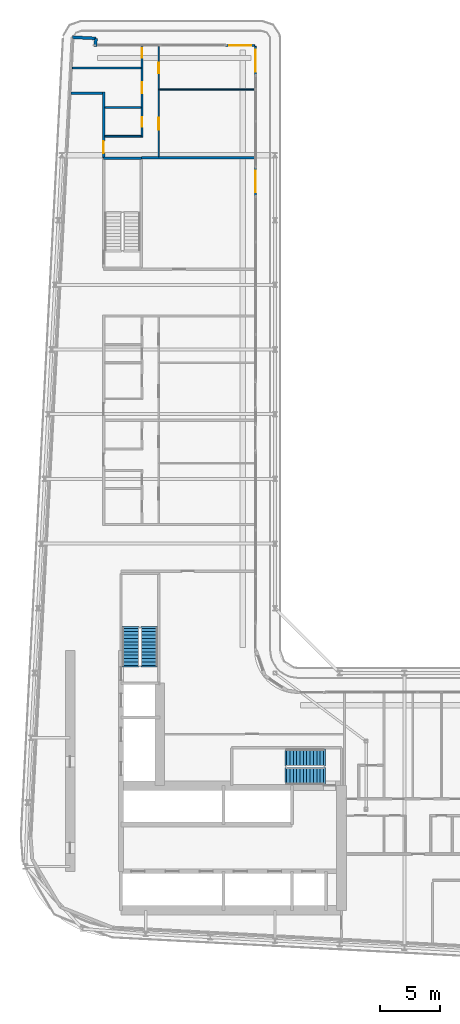
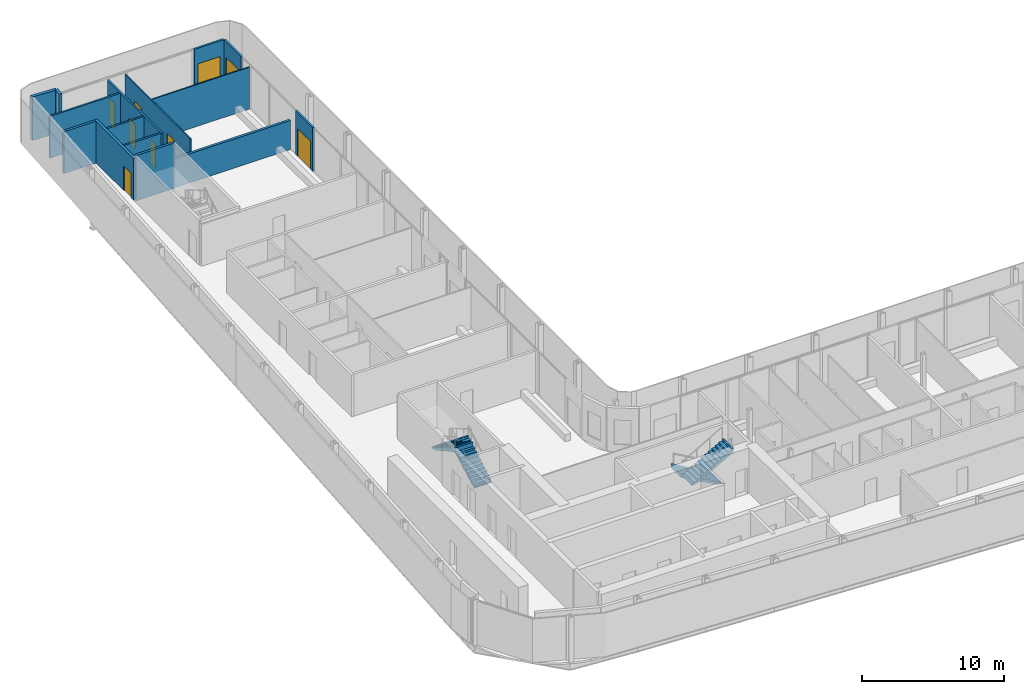
# One storey, part 22 of 30: 15 walls, 9 doors, 4 stair flights, 9 openings, 2 elements without a shape of their own.
"""IFC4 building model written with IfcOpenShell, lengths in metres."""

from ifc_helpers import new_model, si_unit, direction, frame, frame_2d, origin, place, context, subcontext, project, spatial, polyline, rectangle, outline, extrude, source, transform, mapped, material, layer, layer_set, type_object, element, fill, aggregate, save


model = new_model("IFC4")

# Units and contexts
model_context = context("Model", 3, precision=1e-05, world=origin(), true_north=direction((0.0, 1.0)))
body_context = subcontext(model_context, "Body", "Model", "MODEL_VIEW")
ifc_project = project(units=[si_unit("LENGTHUNIT", "METRE"), si_unit("AREAUNIT", "SQUARE_METRE"), si_unit("VOLUMEUNIT", "CUBIC_METRE"), si_unit("PLANEANGLEUNIT", "RADIAN"), si_unit("MASSUNIT", "GRAM", prefix="KILO")], contexts=[model_context])

# Site, building, storey
site_placement = place(None, origin())
site = spatial("IfcSite", under=ifc_project, at=site_placement, CompositionType="ELEMENT")
building_placement = place(site_placement, origin())
building = spatial("IfcBuilding", under=site, at=building_placement, Name="Kheshtan School and Residences Tower", CompositionType="ELEMENT")
storey_placement = place(building_placement, frame((0.0, 0.0, 195.5)))
storey = spatial("IfcBuildingStorey", under=building, at=storey_placement, Name="L46", CompositionType="ELEMENT", Elevation=195.5)

# Wall
ifc_material_1 = material(Name="Gypsum board on steel studs with fire boards", Category="steel")
ifc_layer_1 = layer(ifc_material_1, 0.199951171875)
ifc_layer_set_1 = layer_set([ifc_layer_1], Name="Corridor wall 200")
wall_type_1 = type_object("IfcWallType", Name="Corridor wall 200", PredefinedType="PARTITIONING", material=ifc_layer_set_1)
wall_1_placement = place(storey_placement, frame((30.584716796875, 94.0, 0.0), z_axis=(0.0, 0.0, 1.0), x_axis=(1.0, 0.0, 0.0)))
element("IfcWall", 1, at=wall_1_placement, inside=storey, type_object=wall_type_1, Name="Partition L46-002", PredefinedType="PARTITIONING", context=body_context, shape_type="SweptSolid", body=[
    extrude(rectangle(XDim=2.615234375, YDim=0.199951171875, at=frame_2d((1.3076171875, 0.0))), origin(), (0.0, 0.0, 1.0), 3.60009765625),
])

# Wall, opening, door
wall_2_placement = place(storey_placement, frame((33.300048828125, 88.60009765625, 0.0), z_axis=(0.0, 0.0, 1.0), x_axis=(0.0, 1.0, 0.0)))
wall_2 = element("IfcWall", 2, at=wall_2_placement, inside=storey, type_object=wall_type_1, Name="Partition L46-005", PredefinedType="PARTITIONING", context=body_context, shape_type="SweptSolid", body=[
    extrude(rectangle(XDim=5.5, YDim=0.199951171875, at=frame_2d((2.75, 0.0))), origin(), (0.0, 0.0, 1.0), 3.60009765625),
])
opening_1_placement = place(wall_2_placement, frame((0.39990234375, 0.0, 0.0)))
opening_1 = element("IfcOpeningElement", 3, at=opening_1_placement, cuts=wall_2, Name="Opening D46-050", PredefinedType="OPENING", context=body_context, shape_type="SweptSolid", body=[
    extrude(rectangle(XDim=1.0, YDim=2.10009765625, at=frame_2d((0.5, 1.050048828125))), frame((0.0, 0.10986328125, 0.0), z_axis=(0.0, -1.0, 0.0), x_axis=(1.0, 0.0, 0.0)), (0.0, 0.0, 1.0), 0.219970703125),
])
ifc_material_2 = material(Name="Steel-framed fire-resisting door leaf", Category="steel")
door_type_1 = type_object("IfcDoorType", Name="Fire door FD30S 1000 x 2100", OperationType="SINGLE_SWING_LEFT", PredefinedType="DOOR", material=ifc_material_2)
shared_shape_1 = source(origin(), body_context, "Body", "SweptSolid", [
    extrude(rectangle(XDim=1.0, YDim=2.10009765625, at=frame_2d((0.5, 1.050048828125))), frame((0.0, 0.02490234375, 0.0), z_axis=(0.0, -1.0, 0.0), x_axis=(1.0, 0.0, 0.0)), (0.0, 0.0, 1.0), 0.050048828125),
])
door_1_placement = place(opening_1_placement, origin())
door_1 = element("IfcDoor", 4, at=door_1_placement, inside=storey, type_object=door_type_1, Name="Door D46-050", OperationType="SINGLE_SWING_LEFT", OverallHeight=2.10009765625, OverallWidth=1.0, PredefinedType="DOOR", context=body_context, shape_type="MappedRepresentation", body=[
    mapped(shared_shape_1, transform((0.0, 0.0, 0.0), x_axis=(1.0, 0.0, 0.0), y_axis=(0.0, 1.0, 0.0), z_axis=(0.0, 0.0, 1.0), scale=1.0)),
])
fill(opening_1, door_1)

# Walls
ifc_material_3 = material(Name="Concrete C40/50 with ceramic cladding and mineral wool insulation", Category="concrete")
ifc_layer_2 = layer(ifc_material_3, 0.25)
ifc_layer_set_2 = layer_set([ifc_layer_2], Name="External wall 250 ceramic clad")
wall_type_2 = type_object("IfcWallType", Name="External wall 250 ceramic clad", PredefinedType="SOLIDWALL", material=ifc_layer_set_2)
wall_3_placement = place(storey_placement, frame((30.705078125, 98.6640625, 0.0), z_axis=(0.0, 0.0, 1.0), x_axis=(0.998577785791, -0.053314216913, 0.0)))
element("IfcWall", 5, at=wall_3_placement, inside=storey, type_object=wall_type_2, Name="External wall L46 5", PredefinedType="SOLIDWALL", context=body_context, shape_type="SweptSolid", body=[
    extrude(rectangle(XDim=1.95068359375, YDim=0.25, at=frame_2d((0.975341796875, 0.0))), origin(), (0.0, 0.0, 1.0), 3.75),
])
wall_4_placement = place(storey_placement, frame((32.653076171875, 98.56005859375, 0.0), z_axis=(0.0, 0.0, 1.0), x_axis=(-0.054093451632, -0.998535877418, 0.0)))
element("IfcWall", 6, at=wall_4_placement, inside=storey, type_object=wall_type_2, Name="External wall L46 6", PredefinedType="SOLIDWALL", context=body_context, shape_type="SweptSolid", body=[
    extrude(rectangle(XDim=0.66796875, YDim=0.25, at=frame_2d((0.333984375, 0.0))), origin(), (0.0, 0.0, 1.0), 3.75),
])

# Wall, opening, door
ifc_material_4 = material(Name="Aluminium frame wall with insulated infill", Category="aluminium")
ifc_layer_3 = layer(ifc_material_4, 0.14990234375)
ifc_layer_set_3 = layer_set([ifc_layer_3], Name="Glazing frame wall 150")
wall_type_3 = type_object("IfcWallType", Name="Glazing frame wall 150", PredefinedType="SOLIDWALL", material=ifc_layer_set_3)
wall_5_placement = place(storey_placement, frame((43.5, 97.97509765625, 0.0), z_axis=(0.0, 0.0, 1.0), x_axis=(1.0, 0.0, 0.0)))
wall_5 = element("IfcWall", 7, at=wall_5_placement, inside=storey, type_object=wall_type_3, Name="Balcony door wall L46 7.1", PredefinedType="SOLIDWALL", context=body_context, shape_type="SweptSolid", body=[
    extrude(rectangle(XDim=2.39990234375, YDim=0.14990234375, at=frame_2d((1.199951171875, 0.0))), origin(), (0.0, 0.0, 1.0), 3.75),
])
opening_2_placement = place(wall_5_placement, frame((0.300048828125, 0.0, 0.0)))
opening_2 = element("IfcOpeningElement", 8, at=opening_2_placement, cuts=wall_5, Name="Opening BD", PredefinedType="OPENING", context=body_context, shape_type="SweptSolid", body=[
    extrude(rectangle(XDim=1.800048828125, YDim=2.39990234375, at=frame_2d((0.89990234375, 1.199951171875))), frame((0.0, 0.0849609375, 0.0), z_axis=(0.0, -1.0, 0.0), x_axis=(1.0, 0.0, 0.0)), (0.0, 0.0, 1.0), 0.169921875),
])
ifc_material_5 = material(Name="Clear low-e glass in thermally broken aluminium frame", Category="aluminium")
door_type_2 = type_object("IfcDoorType", Name="Balcony sliding door", OperationType="SLIDING_TO_LEFT", PredefinedType="DOOR", material=ifc_material_5)
shared_shape_2 = source(origin(), body_context, "Body", "SweptSolid", [
    extrude(rectangle(XDim=1.800048828125, YDim=2.39990234375, at=frame_2d((0.89990234375, 1.199951171875))), frame((0.0, 0.02490234375, 0.0), z_axis=(0.0, -1.0, 0.0), x_axis=(1.0, 0.0, 0.0)), (0.0, 0.0, 1.0), 0.050048828125),
])
door_2_placement = place(opening_2_placement, origin())
door_2 = element("IfcDoor", 9, at=door_2_placement, inside=storey, type_object=door_type_2, Name="Balcony door L46 7.1", OperationType="SLIDING_TO_LEFT", OverallHeight=2.39990234375, OverallWidth=1.800048828125, PredefinedType="DOOR", context=body_context, shape_type="MappedRepresentation", body=[
    mapped(shared_shape_2, transform((0.0, 0.0, 0.0), x_axis=(1.0, 0.0, 0.0), y_axis=(0.0, 1.0, 0.0), z_axis=(0.0, 0.0, 1.0), scale=1.0)),
])
fill(opening_2, door_2)

wall_6_placement = place(storey_placement, frame((45.97509765625, 97.89990234375, 0.0), z_axis=(0.0, 0.0, 1.0), x_axis=(0.0, -1.0, 0.0)))
wall_6 = element("IfcWall", 10, at=wall_6_placement, inside=storey, type_object=wall_type_3, Name="Balcony door wall L46 8.1", PredefinedType="SOLIDWALL", context=body_context, shape_type="SweptSolid", body=[
    extrude(rectangle(XDim=2.39990234375, YDim=0.14990234375, at=frame_2d((1.199951171875, 0.0))), origin(), (0.0, 0.0, 1.0), 3.75),
])
opening_3_placement = place(wall_6_placement, frame((0.300048828125, 0.0, 0.0)))
opening_3 = element("IfcOpeningElement", 11, at=opening_3_placement, cuts=wall_6, Name="Opening BD", PredefinedType="OPENING", context=body_context, shape_type="SweptSolid", body=[
    extrude(rectangle(XDim=1.800048828125, YDim=2.39990234375, at=frame_2d((0.89990234375, 1.199951171875))), frame((0.0, 0.0849609375, 0.0), z_axis=(0.0, -1.0, 0.0), x_axis=(1.0, 0.0, 0.0)), (0.0, 0.0, 1.0), 0.169921875),
])
door_3_placement = place(opening_3_placement, origin())
door_3 = element("IfcDoor", 12, at=door_3_placement, inside=storey, type_object=door_type_2, Name="Balcony door L46 8.1", OperationType="SLIDING_TO_LEFT", OverallHeight=2.39990234375, OverallWidth=1.800048828125, PredefinedType="DOOR", context=body_context, shape_type="MappedRepresentation", body=[
    mapped(shared_shape_2, transform((0.0, 0.0, 0.0), x_axis=(1.0, 0.0, 0.0), y_axis=(0.0, 1.0, 0.0), z_axis=(0.0, 0.0, 1.0), scale=1.0)),
])
fill(opening_3, door_3)

wall_7_placement = place(storey_placement, frame((45.97509765625, 87.805908203125, 0.0), z_axis=(0.0, 0.0, 1.0), x_axis=(0.0, -1.0, 0.0)))
wall_7 = element("IfcWall", 13, at=wall_7_placement, inside=storey, type_object=wall_type_3, Name="Balcony door wall L46 8.2", PredefinedType="SOLIDWALL", context=body_context, shape_type="SweptSolid", body=[
    extrude(rectangle(XDim=2.39990234375, YDim=0.14990234375, at=frame_2d((1.199951171875, 0.0))), origin(), (0.0, 0.0, 1.0), 3.75),
])
opening_4_placement = place(wall_7_placement, frame((0.300048828125, 0.0, 0.0)))
opening_4 = element("IfcOpeningElement", 14, at=opening_4_placement, cuts=wall_7, Name="Opening BD", PredefinedType="OPENING", context=body_context, shape_type="SweptSolid", body=[
    extrude(rectangle(XDim=1.800048828125, YDim=2.39990234375, at=frame_2d((0.89990234375, 1.199951171875))), frame((0.0, 0.0849609375, 0.0), z_axis=(0.0, -1.0, 0.0), x_axis=(1.0, 0.0, 0.0)), (0.0, 0.0, 1.0), 0.169921875),
])
door_4_placement = place(opening_4_placement, origin())
door_4 = element("IfcDoor", 15, at=door_4_placement, inside=storey, type_object=door_type_2, Name="Balcony door L46 8.2", OperationType="SLIDING_TO_LEFT", OverallHeight=2.39990234375, OverallWidth=1.800048828125, PredefinedType="DOOR", context=body_context, shape_type="MappedRepresentation", body=[
    mapped(shared_shape_2, transform((0.0, 0.0, 0.0), x_axis=(1.0, 0.0, 0.0), y_axis=(0.0, 1.0, 0.0), z_axis=(0.0, 0.0, 1.0), scale=1.0)),
])
fill(opening_4, door_4)

# Wall, openings, doors
ifc_material_6 = material(Name="Gypsum board on steel studs", Category="steel")
ifc_layer_4 = layer(ifc_material_6, 0.10009765625)
ifc_layer_set_4 = layer_set([ifc_layer_4], Name="Gypsum partition 100")
wall_type_4 = type_object("IfcWallType", Name="Gypsum partition 100", PredefinedType="PARTITIONING", material=ifc_layer_set_4)
wall_8_placement = place(storey_placement, frame((37.89990234375, 88.699951171875, 0.0), z_axis=(0.0, 0.0, 1.0), x_axis=(0.0, 1.0, 0.0)))
wall_8 = element("IfcWall", 16, at=wall_8_placement, inside=storey, type_object=wall_type_4, Name="Partition L46-025", PredefinedType="PARTITIONING", context=body_context, shape_type="SweptSolid", body=[
    extrude(rectangle(XDim=9.199951171875, YDim=0.10009765625, at=frame_2d((4.60009765625, 0.0))), origin(), (0.0, 0.0, 1.0), 3.60009765625),
])
opening_5_placement = place(wall_8_placement, frame((6.949951171875, 0.0, 0.0)))
opening_5 = element("IfcOpeningElement", 17, at=opening_5_placement, cuts=wall_8, Name="Opening D46-049", PredefinedType="OPENING", context=body_context, shape_type="SweptSolid", body=[
    extrude(rectangle(XDim=0.89990234375, YDim=2.10009765625, at=frame_2d((0.449951171875, 1.050048828125))), frame((0.0, 0.06005859375, 0.0), z_axis=(0.0, -1.0, 0.0), x_axis=(1.0, 0.0, 0.0)), (0.0, 0.0, 1.0), 0.1201171875),
])
opening_6_placement = place(wall_8_placement, frame((2.25, 0.0, 0.0)))
opening_6 = element("IfcOpeningElement", 18, at=opening_6_placement, cuts=wall_8, Name="Opening D46-052", PredefinedType="OPENING", context=body_context, shape_type="SweptSolid", body=[
    extrude(rectangle(XDim=1.0, YDim=2.10009765625, at=frame_2d((0.5, 1.050048828125))), frame((0.0, 0.06005859375, 0.0), z_axis=(0.0, -1.0, 0.0), x_axis=(1.0, 0.0, 0.0)), (0.0, 0.0, 1.0), 0.1201171875),
])
ifc_material_7 = material(Name="Veneered timber door leaf", Category="wood")
door_type_3 = type_object("IfcDoorType", Name="Door 1000 x 2100", OperationType="SINGLE_SWING_LEFT", PredefinedType="DOOR", material=ifc_material_7)
shared_shape_3 = source(origin(), body_context, "Body", "SweptSolid", [
    extrude(rectangle(XDim=1.0, YDim=2.10009765625, at=frame_2d((0.5, 1.050048828125))), frame((0.0, 0.02490234375, 0.0), z_axis=(0.0, -1.0, 0.0), x_axis=(1.0, 0.0, 0.0)), (0.0, 0.0, 1.0), 0.050048828125),
])
door_5_placement = place(opening_6_placement, origin())
door_5 = element("IfcDoor", 19, at=door_5_placement, inside=storey, type_object=door_type_3, Name="Door D46-052", OperationType="SINGLE_SWING_RIGHT", OverallHeight=2.10009765625, OverallWidth=1.0, PredefinedType="DOOR", context=body_context, shape_type="MappedRepresentation", body=[
    mapped(shared_shape_3, transform((0.0, 0.0, 0.0), x_axis=(1.0, 0.0, 0.0), y_axis=(0.0, 1.0, 0.0), z_axis=(0.0, 0.0, 1.0), scale=1.0)),
])
fill(opening_6, door_5)
door_type_4 = type_object("IfcDoorType", Name="Door 900 x 2100", OperationType="SINGLE_SWING_LEFT", PredefinedType="DOOR", material=ifc_material_7)
shared_shape_4 = source(origin(), body_context, "Body", "SweptSolid", [
    extrude(rectangle(XDim=0.89990234375, YDim=2.10009765625, at=frame_2d((0.449951171875, 1.050048828125))), frame((0.0, 0.02490234375, 0.0), z_axis=(0.0, -1.0, 0.0), x_axis=(1.0, 0.0, 0.0)), (0.0, 0.0, 1.0), 0.050048828125),
])
door_6_placement = place(opening_5_placement, origin())
door_6 = element("IfcDoor", 20, at=door_6_placement, inside=storey, type_object=door_type_4, Name="Door D46-049", OperationType="SINGLE_SWING_RIGHT", OverallHeight=2.10009765625, OverallWidth=0.89990234375, PredefinedType="DOOR", context=body_context, shape_type="MappedRepresentation", body=[
    mapped(shared_shape_4, transform((0.0, 0.0, 0.0), x_axis=(1.0, 0.0, 0.0), y_axis=(0.0, 1.0, 0.0), z_axis=(0.0, 0.0, 1.0), scale=1.0)),
])
fill(opening_5, door_6)

# Walls
wall_9_placement = place(storey_placement, frame((37.949951171875, 94.300048828125, 0.0), z_axis=(0.0, 0.0, 1.0), x_axis=(1.0, 0.0, 0.0)))
element("IfcWall", 21, at=wall_9_placement, inside=storey, type_object=wall_type_4, Name="Partition L46-028", PredefinedType="PARTITIONING", context=body_context, shape_type="SweptSolid", body=[
    extrude(rectangle(XDim=7.949951171875, YDim=0.10009765625, at=frame_2d((3.97509765625, 0.0))), origin(), (0.0, 0.0, 1.0), 3.60009765625),
])
ifc_material_8 = material(Name="Concrete C40/50", Category="concrete")
ifc_layer_5 = layer(ifc_material_8, 0.199951171875)
ifc_layer_set_5 = layer_set([ifc_layer_5], Name="Stair enclosure wall 200 Concrete C40/50")
wall_type_5 = type_object("IfcWallType", Name="Stair enclosure wall 200 Concrete C40/50", PredefinedType="SHEAR", material=ifc_layer_set_5)
wall_10_placement = place(storey_placement, frame((33.300048828125, 88.56005859375, 0.0), z_axis=(0.0, 0.0, 1.0), x_axis=(1.0, 0.0, 0.0)))
element("IfcWall", 22, at=wall_10_placement, inside=storey, type_object=wall_type_5, Name="Stair enclosure wall ST3", PredefinedType="SHEAR", context=body_context, shape_type="SweptSolid", body=[
    extrude(rectangle(XDim=3.14990234375, YDim=0.199951171875, at=frame_2d((1.574951171875, 0.0))), origin(), (0.0, 0.0, 1.0), 3.89990234375),
])
ifc_material_9 = material(Name="Twin gypsum board on steel studs with mineral wool", Category="steel")
ifc_layer_6 = layer(ifc_material_9, 0.199951171875)
ifc_layer_set_6 = layer_set([ifc_layer_6], Name="Unit demising wall 200")
wall_type_6 = type_object("IfcWallType", Name="Unit demising wall 200", PredefinedType="PARTITIONING", material=ifc_layer_set_6)
wall_11_placement = place(storey_placement, frame((36.449951171875, 88.60009765625, 0.0), z_axis=(0.0, 0.0, 1.0), x_axis=(1.0, 0.0, 0.0)))
element("IfcWall", 23, at=wall_11_placement, inside=storey, type_object=wall_type_6, Name="Partition L46-021", PredefinedType="PARTITIONING", context=body_context, shape_type="SweptSolid", body=[
    extrude(rectangle(XDim=9.449951171875, YDim=0.199951171875, at=frame_2d((4.72509765625, 0.0))), origin(), (0.0, 0.0, 1.0), 2.5),
])
ifc_material_10 = material(Name="Moisture-resistant gypsum board on steel studs", Category="steel")
ifc_layer_7 = layer(ifc_material_10, 0.14990234375)
ifc_layer_set_7 = layer_set([ifc_layer_7], Name="Wet-room partition 150")
wall_type_7 = type_object("IfcWallType", Name="Wet-room partition 150", PredefinedType="PARTITIONING", material=ifc_layer_set_7)
wall_12_placement = place(storey_placement, frame((30.695068359375, 96.10009765625, 0.0), z_axis=(0.0, 0.0, 1.0), x_axis=(1.0, 0.0, 0.0)))
element("IfcWall", 24, at=wall_12_placement, inside=storey, type_object=wall_type_7, Name="Partition L46-001", PredefinedType="PARTITIONING", context=body_context, shape_type="SweptSolid", body=[
    extrude(rectangle(XDim=5.72998046875, YDim=0.14990234375, at=frame_2d((2.864990234375, 0.0))), origin(), (0.0, 0.0, 1.0), 3.60009765625),
])
for number, where, z_axis, x_axis, name in (
    (25, (33.39990234375, 90.39990234375, 0.0), (0.0, 0.0, 1.0), (1.0, 0.0, 0.0), "Partition L46-015"),
    (26, (33.39990234375, 92.800048828125, 0.0), (0.0, 0.0, 1.0), (1.0, 0.0, 0.0), "Partition L46-016"),
):
    element("IfcWall", number, at=place(storey_placement, frame(where, z_axis=z_axis, x_axis=x_axis)), inside=storey, type_object=wall_type_7, Name=name, PredefinedType="PARTITIONING", context=body_context, shape_type="SweptSolid", body=[
        extrude(rectangle(XDim=3.025146484375, YDim=0.14990234375, at=frame_2d((1.5126953125, 0.0))), origin(), (0.0, 0.0, 1.0), 3.60009765625),
    ])

# Wall, openings, doors
wall_13_placement = place(storey_placement, frame((36.5, 90.324951171875, 0.0), z_axis=(0.0, 0.0, 1.0), x_axis=(0.0, 1.0, 0.0)))
wall_13 = element("IfcWall", 27, at=wall_13_placement, inside=storey, type_object=wall_type_7, Name="Partition L46-022", PredefinedType="PARTITIONING", context=body_context, shape_type="SweptSolid", body=[
    extrude(rectangle(XDim=7.574951171875, YDim=0.14990234375, at=frame_2d((3.78759765625, 0.0))), origin(), (0.0, 0.0, 1.0), 3.60009765625),
])
opening_7_placement = place(wall_13_placement, frame((0.875, 0.0, 0.0)))
opening_7 = element("IfcOpeningElement", 28, at=opening_7_placement, cuts=wall_13, Name="Opening D46-048", PredefinedType="OPENING", context=body_context, shape_type="SweptSolid", body=[
    extrude(rectangle(XDim=0.800048828125, YDim=2.10009765625, at=frame_2d((0.39990234375, 1.050048828125))), frame((0.0, 0.0849609375, 0.0), z_axis=(0.0, -1.0, 0.0), x_axis=(1.0, 0.0, 0.0)), (0.0, 0.0, 1.0), 0.169921875),
])
opening_8_placement = place(wall_13_placement, frame((3.675048828125, 0.0, 0.0)))
opening_8 = element("IfcOpeningElement", 29, at=opening_8_placement, cuts=wall_13, Name="Opening D46-051", PredefinedType="OPENING", context=body_context, shape_type="SweptSolid", body=[
    extrude(rectangle(XDim=0.89990234375, YDim=2.10009765625, at=frame_2d((0.449951171875, 1.050048828125))), frame((0.0, 0.0849609375, 0.0), z_axis=(0.0, -1.0, 0.0), x_axis=(1.0, 0.0, 0.0)), (0.0, 0.0, 1.0), 0.169921875),
])
opening_9_placement = place(wall_13_placement, frame((6.625, 0.0, 0.0)))
opening_9 = element("IfcOpeningElement", 30, at=opening_9_placement, cuts=wall_13, Name="Opening D46-053", PredefinedType="OPENING", context=body_context, shape_type="SweptSolid", body=[
    extrude(rectangle(XDim=0.800048828125, YDim=2.10009765625, at=frame_2d((0.39990234375, 1.050048828125))), frame((0.0, 0.0849609375, 0.0), z_axis=(0.0, -1.0, 0.0), x_axis=(1.0, 0.0, 0.0)), (0.0, 0.0, 1.0), 0.169921875),
])
door_type_5 = type_object("IfcDoorType", Name="Door 800 x 2100", OperationType="SINGLE_SWING_LEFT", PredefinedType="DOOR", material=ifc_material_7)
shared_shape_5 = source(origin(), body_context, "Body", "SweptSolid", [
    extrude(rectangle(XDim=0.800048828125, YDim=2.10009765625, at=frame_2d((0.39990234375, 1.050048828125))), frame((0.0, 0.02490234375, 0.0), z_axis=(0.0, -1.0, 0.0), x_axis=(1.0, 0.0, 0.0)), (0.0, 0.0, 1.0), 0.050048828125),
])
door_7_placement = place(opening_7_placement, origin())
door_7 = element("IfcDoor", 31, at=door_7_placement, inside=storey, type_object=door_type_5, Name="Door D46-048", OperationType="SINGLE_SWING_LEFT", OverallHeight=2.10009765625, OverallWidth=0.800048828125, PredefinedType="DOOR", context=body_context, shape_type="MappedRepresentation", body=[
    mapped(shared_shape_5, transform((0.0, 0.0, 0.0), x_axis=(1.0, 0.0, 0.0), y_axis=(0.0, 1.0, 0.0), z_axis=(0.0, 0.0, 1.0), scale=1.0)),
])
fill(opening_7, door_7)
door_8_placement = place(opening_9_placement, origin())
door_8 = element("IfcDoor", 32, at=door_8_placement, inside=storey, type_object=door_type_5, Name="Door D46-053", OperationType="SINGLE_SWING_LEFT", OverallHeight=2.10009765625, OverallWidth=0.800048828125, PredefinedType="DOOR", context=body_context, shape_type="MappedRepresentation", body=[
    mapped(shared_shape_5, transform((0.0, 0.0, 0.0), x_axis=(1.0, 0.0, 0.0), y_axis=(0.0, 1.0, 0.0), z_axis=(0.0, 0.0, 1.0), scale=1.0)),
])
fill(opening_9, door_8)
door_9_placement = place(opening_8_placement, origin())
door_9 = element("IfcDoor", 33, at=door_9_placement, inside=storey, type_object=door_type_4, Name="Door D46-051", OperationType="SINGLE_SWING_LEFT", OverallHeight=2.10009765625, OverallWidth=0.89990234375, PredefinedType="DOOR", context=body_context, shape_type="MappedRepresentation", body=[
    mapped(shared_shape_4, transform((0.0, 0.0, 0.0), x_axis=(1.0, 0.0, 0.0), y_axis=(0.0, 1.0, 0.0), z_axis=(0.0, 0.0, 1.0), scale=1.0)),
])
fill(opening_8, door_9)

# Stair, stair flights
stair_type = type_object("IfcStairType", Name="Exit stair, half-turn", PredefinedType="HALF_TURN_STAIR", material=ifc_material_8)
stair_1_placement = place(storey_placement, origin())
stair_1 = element("IfcStair", 34, at=stair_1_placement, inside=storey, type_object=stair_type, Name="L46 Protected Exit Stair ST1", PredefinedType="HALF_TURN_STAIR")
ifc_layer_8 = layer(ifc_material_8, 0.14990234375)
ifc_layer_set_8 = layer_set([ifc_layer_8], Name="Stair flight 1400 Concrete C40/50")
stair_flight_type = type_object("IfcStairFlightType", Name="Stair flight 1400 Concrete C40/50", PredefinedType="STRAIGHT", material=ifc_layer_set_8)
stair_flight_1_placement = place(storey_placement, frame((51.64990234375, 38.550048828125, 0.0), z_axis=(0.0, 0.0, 1.0), x_axis=(-1.0, 0.0, 0.0)))
stair_flight_1 = element("IfcStairFlight", 35, at=stair_flight_1_placement, type_object=stair_flight_type, Name="ST1 flight 1", NumberOfRisers=12, NumberOfTreads=11, PredefinedType="STRAIGHT", RiserHeight=0.1625, TreadLength=0.28, context=body_context, shape_type="SweptSolid", body=[
    extrude(outline(polyline([(-0.14990234375, -0.10009765625), (-0.14990234375, 0.0), (0.0, 0.0), (0.0, 0.16259765625), (0.280029296875, 0.16259765625), (0.280029296875, 0.324951171875), (0.56005859375, 0.324951171875), (0.56005859375, 0.487548828125), (0.840087890625, 0.487548828125), (0.840087890625, 0.64990234375), (1.1201171875, 0.64990234375), (1.1201171875, 0.8125), (1.39990234375, 0.8125), (1.39990234375, 0.97509765625), (1.679931640625, 0.97509765625), (1.679931640625, 1.137451171875), (1.9599609375, 1.137451171875), (1.9599609375, 1.300048828125), (2.239990234375, 1.300048828125), (2.239990234375, 1.46240234375), (2.52001953125, 1.46240234375), (2.52001953125, 1.625), (2.800048828125, 1.625), (2.800048828125, 1.78759765625), (3.080078125, 1.78759765625), (3.080078125, 1.949951171875), (3.080078125, 1.969970703125), (3.22998046875, 1.969970703125), (3.22998046875, 1.6142578125), (0.298583984375, 0.0), (-0.14990234375, -0.10009765625)])), frame((0.0, 0.699951171875, 0.0), z_axis=(0.0, -1.0, 0.0), x_axis=(1.0, 0.0, 0.0)), (0.0, 0.0, 1.0), 1.39990234375),
])
stair_flight_2_placement = place(storey_placement, frame((48.570068359375, 37.0, 1.949951171875), z_axis=(0.0, 0.0, 1.0), x_axis=(1.0, 0.0, 0.0)))
stair_flight_2 = element("IfcStairFlight", 36, at=stair_flight_2_placement, type_object=stair_flight_type, Name="ST1 flight 2", NumberOfRisers=12, NumberOfTreads=11, PredefinedType="STRAIGHT", RiserHeight=0.1625, TreadLength=0.28, context=body_context, shape_type="SweptSolid", body=[
    extrude(outline(polyline([(-0.14990234375, -0.10009765625), (-0.14990234375, 0.0), (0.0, 0.0), (0.0, 0.16259765625), (0.280029296875, 0.16259765625), (0.280029296875, 0.324951171875), (0.56005859375, 0.324951171875), (0.56005859375, 0.487548828125), (0.840087890625, 0.487548828125), (0.840087890625, 0.64990234375), (1.1201171875, 0.64990234375), (1.1201171875, 0.8125), (1.39990234375, 0.8125), (1.39990234375, 0.97509765625), (1.679931640625, 0.97509765625), (1.679931640625, 1.137451171875), (1.9599609375, 1.137451171875), (1.9599609375, 1.300048828125), (2.239990234375, 1.300048828125), (2.239990234375, 1.46240234375), (2.52001953125, 1.46240234375), (2.52001953125, 1.625), (2.800048828125, 1.625), (2.800048828125, 1.78759765625), (3.080078125, 1.78759765625), (3.080078125, 1.949951171875), (3.080078125, 1.969970703125), (3.22998046875, 1.969970703125), (3.22998046875, 1.6142578125), (0.298583984375, 0.0), (-0.14990234375, -0.10009765625)])), frame((0.0, 0.699951171875, 0.0), z_axis=(0.0, -1.0, 0.0), x_axis=(1.0, 0.0, 0.0)), (0.0, 0.0, 1.0), 1.39990234375),
])
aggregate(stair_1, [stair_flight_1, stair_flight_2])

stair_2_placement = place(storey_placement, origin())
stair_2 = element("IfcStair", 37, at=stair_2_placement, inside=storey, type_object=stair_type, Name="L46 Protected Exit Stair ST2", PredefinedType="HALF_TURN_STAIR")
stair_flight_3_placement = place(storey_placement, frame((37.10009765625, 46.25, 0.0), z_axis=(0.0, 0.0, 1.0), x_axis=(0.0, 1.0, 0.0)))
stair_flight_3 = element("IfcStairFlight", 38, at=stair_flight_3_placement, type_object=stair_flight_type, Name="ST2 flight 1", NumberOfRisers=12, NumberOfTreads=11, PredefinedType="STRAIGHT", RiserHeight=0.1625, TreadLength=0.28, context=body_context, shape_type="SweptSolid", body=[
    extrude(outline(polyline([(-0.14990234375, -0.10009765625), (-0.14990234375, 0.0), (0.0, 0.0), (0.0, 0.16259765625), (0.280029296875, 0.16259765625), (0.280029296875, 0.324951171875), (0.56005859375, 0.324951171875), (0.56005859375, 0.487548828125), (0.840087890625, 0.487548828125), (0.840087890625, 0.64990234375), (1.1201171875, 0.64990234375), (1.1201171875, 0.8125), (1.39990234375, 0.8125), (1.39990234375, 0.97509765625), (1.679931640625, 0.97509765625), (1.679931640625, 1.137451171875), (1.9599609375, 1.137451171875), (1.9599609375, 1.300048828125), (2.239990234375, 1.300048828125), (2.239990234375, 1.46240234375), (2.52001953125, 1.46240234375), (2.52001953125, 1.625), (2.800048828125, 1.625), (2.800048828125, 1.78759765625), (3.080078125, 1.78759765625), (3.080078125, 1.949951171875), (3.080078125, 1.969970703125), (3.22998046875, 1.969970703125), (3.22998046875, 1.6142578125), (0.298583984375, 0.0), (-0.14990234375, -0.10009765625)])), frame((0.0, 0.699951171875, 0.0), z_axis=(0.0, -1.0, 0.0), x_axis=(1.0, 0.0, 0.0)), (0.0, 0.0, 1.0), 1.39990234375),
])
stair_flight_4_placement = place(storey_placement, frame((35.550048828125, 49.330078125, 1.949951171875), z_axis=(0.0, 0.0, 1.0), x_axis=(0.0, -1.0, 0.0)))
stair_flight_4 = element("IfcStairFlight", 39, at=stair_flight_4_placement, type_object=stair_flight_type, Name="ST2 flight 2", NumberOfRisers=12, NumberOfTreads=11, PredefinedType="STRAIGHT", RiserHeight=0.1625, TreadLength=0.28, context=body_context, shape_type="SweptSolid", body=[
    extrude(outline(polyline([(-0.14990234375, -0.10009765625), (-0.14990234375, 0.0), (0.0, 0.0), (0.0, 0.16259765625), (0.280029296875, 0.16259765625), (0.280029296875, 0.324951171875), (0.56005859375, 0.324951171875), (0.56005859375, 0.487548828125), (0.840087890625, 0.487548828125), (0.840087890625, 0.64990234375), (1.1201171875, 0.64990234375), (1.1201171875, 0.8125), (1.39990234375, 0.8125), (1.39990234375, 0.97509765625), (1.679931640625, 0.97509765625), (1.679931640625, 1.137451171875), (1.9599609375, 1.137451171875), (1.9599609375, 1.300048828125), (2.239990234375, 1.300048828125), (2.239990234375, 1.46240234375), (2.52001953125, 1.46240234375), (2.52001953125, 1.625), (2.800048828125, 1.625), (2.800048828125, 1.78759765625), (3.080078125, 1.78759765625), (3.080078125, 1.949951171875), (3.080078125, 1.969970703125), (3.22998046875, 1.969970703125), (3.22998046875, 1.6142578125), (0.298583984375, 0.0), (-0.14990234375, -0.10009765625)])), frame((0.0, 0.699951171875, 0.0), z_axis=(0.0, -1.0, 0.0), x_axis=(1.0, 0.0, 0.0)), (0.0, 0.0, 1.0), 1.39990234375),
])
aggregate(stair_2, [stair_flight_3, stair_flight_4])

save(model, "model.ifc")
